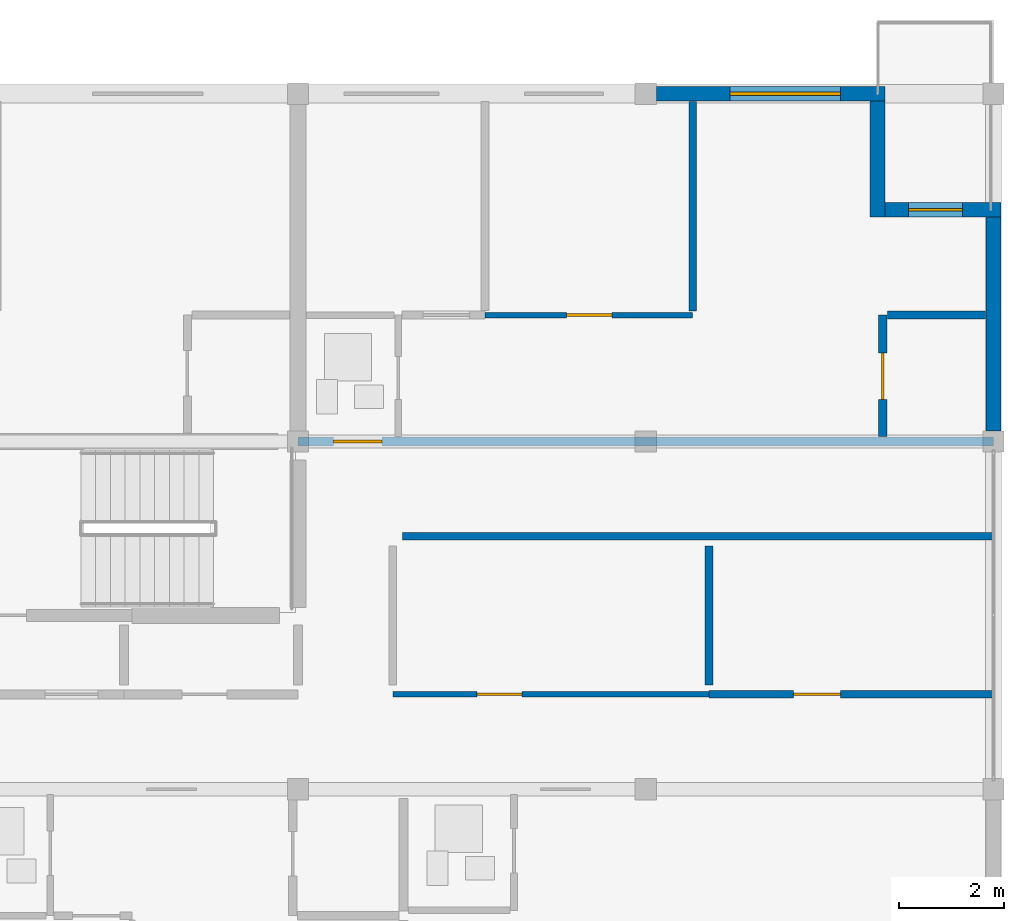
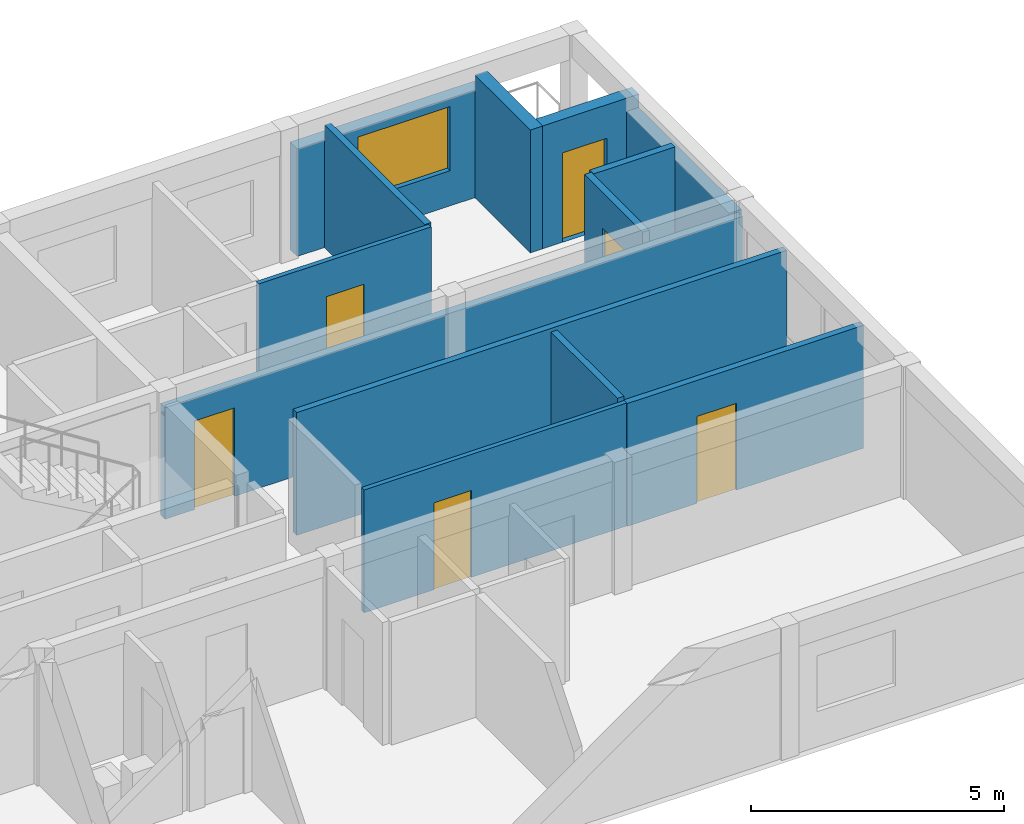
# One storey, part 27 of 34: 13 walls, 6 doors, 1 window, 7 openings.
"""IFC4 building model written with IfcOpenShell, lengths in metres."""

from ifc_helpers import new_model, si_unit, direction, frame, frame_2d, origin, place, context, subcontext, project, spatial, rectangle, extrude, material, layer, layer_set, type_object, element, fill, save


model = new_model("IFC4")

# Units and contexts
model_context = context("Model", 3, precision=1e-05, world=origin(), true_north=direction((0.0, 1.0)))
body_context = subcontext(model_context, "Body", "Model", "MODEL_VIEW")
ifc_project = project(units=[si_unit("LENGTHUNIT", "METRE"), si_unit("AREAUNIT", "SQUARE_METRE"), si_unit("VOLUMEUNIT", "CUBIC_METRE"), si_unit("PLANEANGLEUNIT", "RADIAN"), si_unit("MASSUNIT", "GRAM", prefix="KILO")], contexts=[model_context])

# Site, building, storey
site_placement = place(None, origin())
site = spatial("IfcSite", under=ifc_project, at=site_placement, CompositionType="ELEMENT")
building_placement = place(site_placement, origin())
building = spatial("IfcBuilding", under=site, at=building_placement, Name="Kernevlak Ridge Housing Community", CompositionType="ELEMENT")
storey_placement = place(building_placement, frame((0.0, 0.0, 34.0)))
storey = spatial("IfcBuildingStorey", under=building, at=storey_placement, Name="L10", CompositionType="ELEMENT", Elevation=34.0)

# Wall, opening, window
ifc_material_1 = material(Name="Concrete block masonry M10", Category="masonry")
ifc_layer_1 = layer(ifc_material_1, 0.280029296875, Name="Concrete block masonry M10")
ifc_layer_set_1 = layer_set([ifc_layer_1], Name="Concrete block masonry M10")
wall_type_1 = type_object("IfcWallType", Name="EW-03", PredefinedType="STANDARD", material=ifc_layer_set_1)
wall_1_placement = place(storey_placement, frame((146.0, 102.39990234375, 0.0), z_axis=(0.0, 0.0, 1.0), x_axis=(1.0, 0.0, 0.0)))
wall_1 = element("IfcWall", 1, at=wall_1_placement, inside=storey, type_object=wall_type_1, Name="Exterior wall EW-03 L10 460", PredefinedType="STANDARD", context=body_context, shape_type="SweptSolid", body=[
    extrude(rectangle(XDim=4.340087890625, YDim=0.280029296875, at=frame_2d((2.169921875, 0.0))), origin(), (0.0, 0.0, 1.0), 2.60009765625),
])
opening_1_placement = place(wall_1_placement, frame((1.39599609375, 0.0, 0.85009765625)))
opening_1 = element("IfcOpeningElement", 2, at=opening_1_placement, cuts=wall_1, Name="Opening WT-05", PredefinedType="OPENING", context=body_context, shape_type="SweptSolid", body=[
    extrude(rectangle(XDim=2.10009765625, YDim=1.550048828125, at=frame_2d((1.050048828125, 0.77490234375))), frame((0.0, 0.14990234375, 0.0), z_axis=(0.0, -1.0, 0.0), x_axis=(1.0, 0.0, 0.0)), (0.0, 0.0, 1.0), 0.300048828125),
])
ifc_material_2 = material(Name="Aluminium EN AW-6060 anodised and laminated glass", Category="aluminium")
window_type = type_object("IfcWindowType", Name="WT-05", PartitioningType="SINGLE_PANEL", PredefinedType="WINDOW", material=ifc_material_2)
window_placement = place(opening_1_placement, origin())
window = element("IfcWindow", 3, at=window_placement, inside=storey, type_object=window_type, Name="Window WT-05 L10 360", OverallHeight=1.550048828125, OverallWidth=2.10009765625, PartitioningType="SINGLE_PANEL", PredefinedType="WINDOW", context=body_context, shape_type="SweptSolid", body=[
    extrude(rectangle(XDim=2.10009765625, YDim=1.550048828125, at=frame_2d((1.050048828125, 0.77490234375))), frame((0.0, 0.030029296875, 0.0), z_axis=(0.0, -1.0, 0.0), x_axis=(1.0, 0.0, 0.0)), (0.0, 0.0, 1.0), 0.06005859375),
])
fill(opening_1, window)

# Wall
wall_2_placement = place(storey_placement, frame((150.199951171875, 102.260009765625, 0.0), z_axis=(0.0, 0.0, 1.0), x_axis=(0.0, -1.0, 0.0)))
element("IfcWall", 4, at=wall_2_placement, inside=storey, type_object=wall_type_1, Name="Exterior wall EW-03 L10 461", PredefinedType="STANDARD", context=body_context, shape_type="SweptSolid", body=[
    extrude(rectangle(XDim=2.199951171875, YDim=0.280029296875, at=frame_2d((1.10009765625, 0.0))), origin(), (0.0, 0.0, 1.0), 2.969970703125),
])

# Wall, opening, door
wall_3_placement = place(storey_placement, frame((150.340087890625, 100.199951171875, 0.0), z_axis=(0.0, 0.0, 1.0), x_axis=(1.0, 0.0, 0.0)))
wall_3 = element("IfcWall", 5, at=wall_3_placement, inside=storey, type_object=wall_type_1, Name="Exterior wall EW-03 L10 462", PredefinedType="STANDARD", context=body_context, shape_type="SweptSolid", body=[
    extrude(rectangle(XDim=2.199951171875, YDim=0.280029296875, at=frame_2d((1.10009765625, 0.0))), origin(), (0.0, 0.0, 1.0), 2.969970703125),
])
opening_2_placement = place(wall_3_placement, frame((0.449951171875, 0.0, 0.0)))
opening_2 = element("IfcOpeningElement", 6, at=opening_2_placement, cuts=wall_3, Name="Opening D926", PredefinedType="OPENING", context=body_context, shape_type="SweptSolid", body=[
    extrude(rectangle(XDim=1.02001953125, YDim=2.159912109375, at=frame_2d((0.510009765625, 1.080078125))), frame((0.0, 0.14990234375, 0.0), z_axis=(0.0, -1.0, 0.0), x_axis=(1.0, 0.0, 0.0)), (0.0, 0.0, 1.0), 0.300048828125),
])
ifc_material_3 = material(Name="Aluminium EN AW-6060 and laminated safety glass", Category="aluminium")
door_type_1 = type_object("IfcDoorType", Name="DT-33", OperationType="NOTDEFINED", PredefinedType="DOOR", material=ifc_material_3)
door_1_placement = place(opening_2_placement, origin())
door_1 = element("IfcDoor", 7, at=door_1_placement, inside=storey, type_object=door_type_1, Name="Flat B1023 corner balcony glazed door D926", OperationType="SINGLE_SWING_RIGHT", OverallHeight=2.159912109375, OverallWidth=1.02001953125, PredefinedType="DOOR", context=body_context, shape_type="SweptSolid", body=[
    extrude(rectangle(XDim=1.02001953125, YDim=2.159912109375, at=frame_2d((0.510009765625, 1.080078125))), frame((0.0, 0.02490234375, 0.0), z_axis=(0.0, -1.0, 0.0), x_axis=(1.0, 0.0, 0.0)), (0.0, 0.0, 1.0), 0.050048828125),
])
fill(opening_2, door_1)

# Wall
wall_4_placement = place(storey_placement, frame((152.39990234375, 96.0, 0.0), z_axis=(0.0, 0.0, 1.0), x_axis=(0.0, 1.0, 0.0)))
element("IfcWall", 8, at=wall_4_placement, inside=storey, type_object=wall_type_1, Name="Exterior wall EW-03 L10 466", PredefinedType="STANDARD", context=body_context, shape_type="SweptSolid", body=[
    extrude(rectangle(XDim=4.06005859375, YDim=0.280029296875, at=frame_2d((2.030029296875, 0.0))), origin(), (0.0, 0.0, 1.0), 2.64990234375),
])

# Wall, opening, door
ifc_layer_2 = layer(ifc_material_1, 0.175048828125, Name="Concrete block masonry M10")
ifc_layer_set_2 = layer_set([ifc_layer_2], Name="Concrete block masonry M10")
wall_type_2 = type_object("IfcWallType", Name="PW-02", PredefinedType="PARTITIONING", material=ifc_layer_set_2)
wall_5_placement = place(storey_placement, frame((139.199951171875, 95.800048828125, 0.0), z_axis=(0.0, 0.0, 1.0), x_axis=(1.0, 0.0, 0.0)))
wall_5 = element("IfcWall", 9, at=wall_5_placement, inside=storey, type_object=wall_type_2, Name="Interior wall PW-02 WAL-INT-L10-1819", PredefinedType="PARTITIONING", context=body_context, shape_type="SweptSolid", body=[
    extrude(rectangle(XDim=13.199951171875, YDim=0.175048828125, at=frame_2d((6.60009765625, 0.0))), origin(), (0.0, 0.0, 1.0), 2.699951171875),
])
opening_3_placement = place(wall_5_placement, frame((0.669921875, 0.0, 0.0)))
opening_3 = element("IfcOpeningElement", 10, at=opening_3_placement, cuts=wall_5, Name="Opening D921", PredefinedType="OPENING", context=body_context, shape_type="SweptSolid", body=[
    extrude(rectangle(XDim=0.919921875, YDim=2.139892578125, at=frame_2d((0.4599609375, 1.06982421875))), frame((0.0, 0.097412109375, 0.0), z_axis=(0.0, -1.0, 0.0), x_axis=(1.0, 0.0, 0.0)), (0.0, 0.0, 1.0), 0.195068359375),
])
ifc_material_4 = material(Name="Hardwood timber solid-core fire leaf", Category="wood")
door_type_2 = type_object("IfcDoorType", Name="DT-20", OperationType="NOTDEFINED", PredefinedType="DOOR", material=ifc_material_4)
door_2_placement = place(opening_3_placement, origin())
door_2 = element("IfcDoor", 11, at=door_2_placement, inside=storey, type_object=door_type_2, Name="Flat B1023 entrance fire door D921", OperationType="SINGLE_SWING_LEFT", OverallHeight=2.139892578125, OverallWidth=0.919921875, PredefinedType="DOOR", context=body_context, shape_type="SweptSolid", body=[
    extrude(rectangle(XDim=0.919921875, YDim=2.139892578125, at=frame_2d((0.4599609375, 1.06982421875))), frame((0.0, 0.02490234375, 0.0), z_axis=(0.0, -1.0, 0.0), x_axis=(1.0, 0.0, 0.0)), (0.0, 0.0, 1.0), 0.050048828125),
])
fill(opening_3, door_2)

ifc_layer_3 = layer(ifc_material_1, 0.14501953125, Name="Concrete block masonry M10")
ifc_layer_set_3 = layer_set([ifc_layer_3], Name="Concrete block masonry M10")
wall_type_3 = type_object("IfcWallType", Name="PW-03", PredefinedType="PARTITIONING", material=ifc_layer_set_3)
wall_6_placement = place(storey_placement, frame((147.0, 91.0, 0.0), z_axis=(0.0, 0.0, 1.0), x_axis=(1.0, 0.0, 0.0)))
wall_6 = element("IfcWall", 12, at=wall_6_placement, inside=storey, type_object=wall_type_3, Name="Interior wall PW-03 WAL-INT-L10-1782", PredefinedType="PARTITIONING", context=body_context, shape_type="SweptSolid", body=[
    extrude(rectangle(XDim=5.39990234375, YDim=0.14501953125, at=frame_2d((2.699951171875, 0.0))), origin(), (0.0, 0.0, 1.0), 2.969970703125),
])
opening_4_placement = place(wall_6_placement, frame((1.60009765625, 0.0, 0.0)))
opening_4 = element("IfcOpeningElement", 13, at=opening_4_placement, cuts=wall_6, Name="Opening D902", PredefinedType="OPENING", context=body_context, shape_type="SweptSolid", body=[
    extrude(rectangle(XDim=0.89990234375, YDim=2.10009765625, at=frame_2d((0.449951171875, 1.050048828125))), frame((0.0, 0.08251953125, 0.0), z_axis=(0.0, -1.0, 0.0), x_axis=(1.0, 0.0, 0.0)), (0.0, 0.0, 1.0), 0.1650390625),
])
ifc_material_5 = material(Name="Hardwood timber leaf", Category="wood")
door_type_3 = type_object("IfcDoorType", Name="DT-21", OperationType="NOTDEFINED", PredefinedType="DOOR", material=ifc_material_5)
door_3_placement = place(opening_4_placement, origin())
door_3 = element("IfcDoor", 14, at=door_3_placement, inside=storey, type_object=door_type_3, Name="Block B Study room door D902", OperationType="SINGLE_SWING_RIGHT", OverallHeight=2.10009765625, OverallWidth=0.89990234375, PredefinedType="DOOR", context=body_context, shape_type="SweptSolid", body=[
    extrude(rectangle(XDim=0.89990234375, YDim=2.10009765625, at=frame_2d((0.449951171875, 1.050048828125))), frame((0.0, 0.02490234375, 0.0), z_axis=(0.0, -1.0, 0.0), x_axis=(1.0, 0.0, 0.0)), (0.0, 0.0, 1.0), 0.050048828125),
])
fill(opening_4, door_3)

# Walls
wall_7_placement = place(storey_placement, frame((147.0, 91.179931640625, 0.0), z_axis=(0.0, 0.0, 1.0), x_axis=(0.0, 1.0, 0.0)))
element("IfcWall", 15, at=wall_7_placement, inside=storey, type_object=wall_type_3, Name="Interior wall PW-03 WAL-INT-L10-1783", PredefinedType="PARTITIONING", context=body_context, shape_type="SweptSolid", body=[
    extrude(rectangle(XDim=2.64013671875, YDim=0.14501953125, at=frame_2d((1.320068359375, 0.0))), origin(), (0.0, 0.0, 1.0), 2.969970703125),
])
wall_8_placement = place(storey_placement, frame((141.179931640625, 94.0, 0.0), z_axis=(0.0, 0.0, 1.0), x_axis=(1.0, 0.0, 0.0)))
element("IfcWall", 16, at=wall_8_placement, inside=storey, type_object=wall_type_3, Name="Interior wall PW-03 WAL-INT-L10-1784", PredefinedType="PARTITIONING", context=body_context, shape_type="SweptSolid", body=[
    extrude(rectangle(XDim=11.199951171875, YDim=0.14501953125, at=frame_2d((5.60009765625, 0.0))), origin(), (0.0, 0.0, 1.0), 2.969970703125),
])
wall_9_placement = place(storey_placement, frame((146.69189453125, 98.280029296875, 0.0), z_axis=(0.0, 0.0, 1.0), x_axis=(0.0, 1.0, 0.0)))
element("IfcWall", 17, at=wall_9_placement, inside=storey, type_object=wall_type_3, Name="Interior wall PW-03 WAL-INT-L10-1827", PredefinedType="PARTITIONING", context=body_context, shape_type="SweptSolid", body=[
    extrude(rectangle(XDim=3.969970703125, YDim=0.14501953125, at=frame_2d((1.98486328125, 0.0))), origin(), (0.0, 0.0, 1.0), 2.969970703125),
])

# Wall, opening, door
ifc_material_6 = material(Name="Gypsum plasterboard EN 520", Category="gypsum")
ifc_layer_4 = layer(ifc_material_6, 0.155029296875, Name="Gypsum plasterboard EN 520")
ifc_layer_set_4 = layer_set([ifc_layer_4], Name="Gypsum plasterboard EN 520")
wall_type_4 = type_object("IfcWallType", Name="PW-05", PredefinedType="PARTITIONING", material=ifc_layer_set_4)
wall_10_placement = place(storey_placement, frame((150.300048828125, 95.8974609375, 0.0), z_axis=(0.0, 0.0, 1.0), x_axis=(0.0, 1.0, 0.0)))
wall_10 = element("IfcWall", 18, at=wall_10_placement, inside=storey, type_object=wall_type_4, Name="Interior wall PW-05 WAL-INT-L10-1822", PredefinedType="PARTITIONING", context=body_context, shape_type="SweptSolid", body=[
    extrude(rectangle(XDim=2.302490234375, YDim=0.155029296875, at=frame_2d((1.1513671875, 0.0))), origin(), (0.0, 0.0, 1.0), 2.969970703125),
])
opening_5_placement = place(wall_10_placement, frame((0.699951171875, 0.0, 0.0)))
opening_5 = element("IfcOpeningElement", 19, at=opening_5_placement, cuts=wall_10, Name="Opening D923", PredefinedType="OPENING", context=body_context, shape_type="SweptSolid", body=[
    extrude(rectangle(XDim=0.8798828125, YDim=2.10009765625, at=frame_2d((0.43994140625, 1.050048828125))), frame((0.0, 0.08740234375, 0.0), z_axis=(0.0, -1.0, 0.0), x_axis=(1.0, 0.0, 0.0)), (0.0, 0.0, 1.0), 0.175048828125),
])
door_type_4 = type_object("IfcDoorType", Name="DT-25", OperationType="NOTDEFINED", PredefinedType="DOOR", material=ifc_material_5)
door_4_placement = place(opening_5_placement, origin())
door_4 = element("IfcDoor", 20, at=door_4_placement, inside=storey, type_object=door_type_4, Name="Flat B1023 kitchen door D923", OperationType="SINGLE_SWING_LEFT", OverallHeight=2.10009765625, OverallWidth=0.8798828125, PredefinedType="DOOR", context=body_context, shape_type="SweptSolid", body=[
    extrude(rectangle(XDim=0.8798828125, YDim=2.10009765625, at=frame_2d((0.43994140625, 1.050048828125))), frame((0.0, 0.02490234375, 0.0), z_axis=(0.0, -1.0, 0.0), x_axis=(1.0, 0.0, 0.0)), (0.0, 0.0, 1.0), 0.050048828125),
])
fill(opening_5, door_4)

# Wall
wall_11_placement = place(storey_placement, frame((150.387451171875, 98.199951171875, 0.0), z_axis=(0.0, 0.0, 1.0), x_axis=(1.0, 0.0, 0.0)))
element("IfcWall", 21, at=wall_11_placement, inside=storey, type_object=wall_type_4, Name="Interior wall PW-05 WAL-INT-L10-1823", PredefinedType="PARTITIONING", context=body_context, shape_type="SweptSolid", body=[
    extrude(rectangle(XDim=1.862548828125, YDim=0.155029296875, at=frame_2d((0.93115234375, 0.0))), origin(), (0.0, 0.0, 1.0), 2.969970703125),
])

# Wall, opening, door
ifc_layer_5 = layer(ifc_material_6, 0.10498046875, Name="Gypsum plasterboard EN 520")
ifc_layer_set_5 = layer_set([ifc_layer_5], Name="Gypsum plasterboard EN 520")
wall_type_5 = type_object("IfcWallType", Name="PW-06", PredefinedType="PARTITIONING", material=ifc_layer_set_5)
wall_12_placement = place(storey_placement, frame((141.0, 91.0, 0.0), z_axis=(0.0, 0.0, 1.0), x_axis=(1.0, 0.0, 0.0)))
wall_12 = element("IfcWall", 22, at=wall_12_placement, inside=storey, type_object=wall_type_5, Name="Interior wall PW-06 WAL-INT-L10-1781", PredefinedType="PARTITIONING", context=body_context, shape_type="SweptSolid", body=[
    extrude(rectangle(XDim=6.0, YDim=0.10498046875, at=frame_2d((3.0, 0.0))), origin(), (0.0, 0.0, 1.0), 2.969970703125),
])
opening_6_placement = place(wall_12_placement, frame((1.60009765625, 0.0, 0.0)))
opening_6 = element("IfcOpeningElement", 23, at=opening_6_placement, cuts=wall_12, Name="Opening D901", PredefinedType="OPENING", context=body_context, shape_type="SweptSolid", body=[
    extrude(rectangle(XDim=0.85009765625, YDim=2.10009765625, at=frame_2d((0.425048828125, 1.050048828125))), frame((0.0, 0.0625, 0.0), z_axis=(0.0, -1.0, 0.0), x_axis=(1.0, 0.0, 0.0)), (0.0, 0.0, 1.0), 0.125),
])
door_type_5 = type_object("IfcDoorType", Name="DT-03", OperationType="NOTDEFINED", PredefinedType="DOOR", material=ifc_material_5)
door_5_placement = place(opening_6_placement, origin())
door_5 = element("IfcDoor", 24, at=door_5_placement, inside=storey, type_object=door_type_5, Name="Block B Laundry room door D901", OperationType="SINGLE_SWING_LEFT", OverallHeight=2.10009765625, OverallWidth=0.85009765625, PredefinedType="DOOR", context=body_context, shape_type="SweptSolid", body=[
    extrude(rectangle(XDim=0.85009765625, YDim=2.10009765625, at=frame_2d((0.425048828125, 1.050048828125))), frame((0.0, 0.02490234375, 0.0), z_axis=(0.0, -1.0, 0.0), x_axis=(1.0, 0.0, 0.0)), (0.0, 0.0, 1.0), 0.050048828125),
])
fill(opening_6, door_5)

wall_13_placement = place(storey_placement, frame((142.75, 98.199951171875, 0.0), z_axis=(0.0, 0.0, 1.0), x_axis=(1.0, 0.0, 0.0)))
wall_13 = element("IfcWall", 25, at=wall_13_placement, inside=storey, type_object=wall_type_5, Name="Interior wall PW-06 WAL-INT-L10-1826", PredefinedType="PARTITIONING", context=body_context, shape_type="SweptSolid", body=[
    extrude(rectangle(XDim=3.94189453125, YDim=0.10498046875, at=frame_2d((1.970947265625, 0.0))), origin(), (0.0, 0.0, 1.0), 2.969970703125),
])
opening_7_placement = place(wall_13_placement, frame((1.5458984375, 0.0, 0.0)))
opening_7 = element("IfcOpeningElement", 26, at=opening_7_placement, cuts=wall_13, Name="Opening D925", PredefinedType="OPENING", context=body_context, shape_type="SweptSolid", body=[
    extrude(rectangle(XDim=0.860107421875, YDim=2.1201171875, at=frame_2d((0.43017578125, 1.06005859375))), frame((0.0, 0.0625, 0.0), z_axis=(0.0, -1.0, 0.0), x_axis=(1.0, 0.0, 0.0)), (0.0, 0.0, 1.0), 0.125),
])
door_type_6 = type_object("IfcDoorType", Name="DT-28", OperationType="NOTDEFINED", PredefinedType="DOOR", material=ifc_material_5)
door_6_placement = place(opening_7_placement, origin())
door_6 = element("IfcDoor", 27, at=door_6_placement, inside=storey, type_object=door_type_6, Name="Flat B1023 bedroom door D925", OperationType="SINGLE_SWING_LEFT", OverallHeight=2.1201171875, OverallWidth=0.860107421875, PredefinedType="DOOR", context=body_context, shape_type="SweptSolid", body=[
    extrude(rectangle(XDim=0.860107421875, YDim=2.1201171875, at=frame_2d((0.43017578125, 1.06005859375))), frame((0.0, 0.02490234375, 0.0), z_axis=(0.0, -1.0, 0.0), x_axis=(1.0, 0.0, 0.0)), (0.0, 0.0, 1.0), 0.050048828125),
])
fill(opening_7, door_6)

save(model, "model.ifc")
